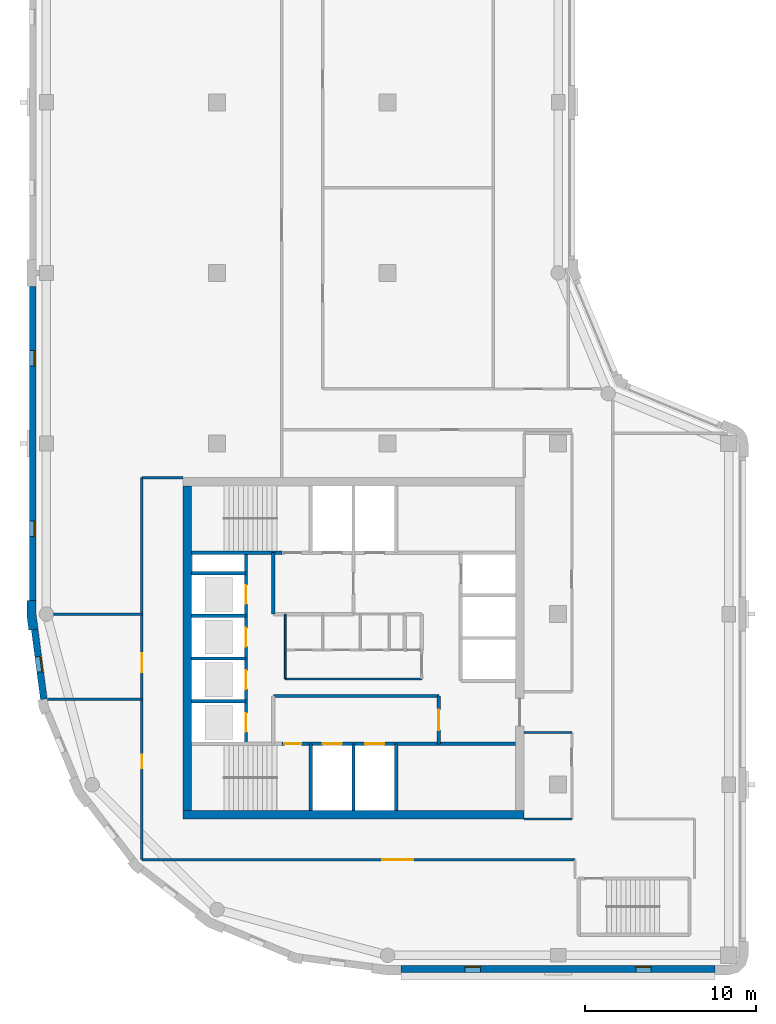
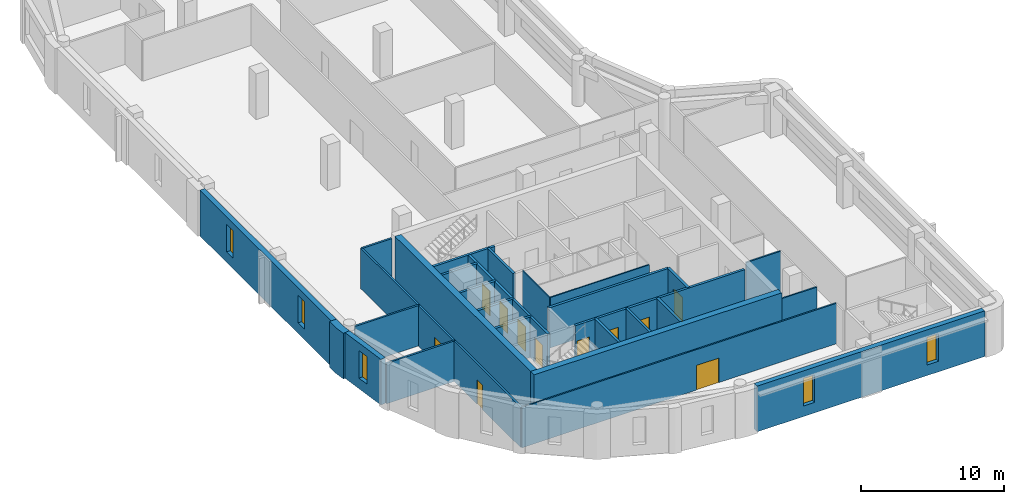
# One storey, part 2 of 8: 28 walls, 11 doors, 5 windows, 16 openings.
"""IFC4 building model written with IfcOpenShell, lengths in metres."""

from ifc_helpers import new_model, si_unit, direction, frame, frame_2d, origin, place, context, subcontext, project, spatial, polyline, rectangle, outline, extrude, material, layer, layer_set, type_object, element, fill, save


model = new_model("IFC4")

# Units and contexts
model_context = context("Model", 3, precision=1e-05, world=origin(), true_north=direction((0.0, 1.0)))
body_context = subcontext(model_context, "Body", "Model", "MODEL_VIEW")
ifc_project = project(units=[si_unit("LENGTHUNIT", "METRE"), si_unit("AREAUNIT", "SQUARE_METRE"), si_unit("VOLUMEUNIT", "CUBIC_METRE"), si_unit("PLANEANGLEUNIT", "RADIAN"), si_unit("MASSUNIT", "GRAM", prefix="KILO")], contexts=[model_context])

# Site, building, storey
site_placement = place(None, origin())
site = spatial("IfcSite", under=ifc_project, at=site_placement, CompositionType="ELEMENT")
building_placement = place(site_placement, origin())
building = spatial("IfcBuilding", under=site, at=building_placement, Name="Qaws Garden Tower", CompositionType="ELEMENT")
storey_placement = place(building_placement, frame((0.0, 0.0, 348.89990234375)))
storey = spatial("IfcBuildingStorey", under=building, at=storey_placement, Name="L85", CompositionType="ELEMENT", Elevation=348.89990234375)

# Wall, openings, windows
ifc_material_1 = material(Name="Buff clay facing brick masonry", Category="masonry")
ifc_layer_1 = layer(ifc_material_1, 0.39990234375)
ifc_layer_set_1 = layer_set([ifc_layer_1], Name="Buff clay facing brick masonry")
wall_type_1 = type_object("IfcWallType", Name="Buff brick infill wall 400", PredefinedType="SOLIDWALL", material=ifc_layer_set_1)
wall_1_placement = place(storey_placement, frame((20.800048828125, -0.800048828125, 0.0), z_axis=(0.0, 0.0, 1.0), x_axis=(1.0, 0.0, 0.0)))
wall_1 = element("IfcWall", 1, at=wall_1_placement, inside=storey, type_object=wall_type_1, Name="E-L85-infill-00", PredefinedType="SOLIDWALL", context=body_context, shape_type="SweptSolid", body=[
    extrude(rectangle(XDim=18.39990234375, YDim=0.39990234375, at=frame_2d((9.199951171875, 0.0))), origin(), (0.0, 0.0, 1.0), 3.900146484375),
])
opening_1_placement = place(wall_1_placement, frame((3.75, 0.0, 0.89990234375)))
opening_1 = element("IfcOpeningElement", 2, at=opening_1_placement, cuts=wall_1, Name="Opening W09", PredefinedType="OPENING", context=body_context, shape_type="SweptSolid", body=[
    extrude(rectangle(XDim=0.89990234375, YDim=2.35009765625, at=frame_2d((0.449951171875, 1.175048828125))), frame((0.0, 0.2099609375, 0.0), z_axis=(0.0, -1.0, 0.0), x_axis=(1.0, 0.0, 0.0)), (0.0, 0.0, 1.0), 0.419921875),
])
opening_2_placement = place(wall_1_placement, frame((13.75, 0.0, 0.89990234375)))
opening_2 = element("IfcOpeningElement", 3, at=opening_2_placement, cuts=wall_1, Name="Opening W09", PredefinedType="OPENING", context=body_context, shape_type="SweptSolid", body=[
    extrude(rectangle(XDim=0.89990234375, YDim=2.35009765625, at=frame_2d((0.449951171875, 1.175048828125))), frame((0.0, 0.2099609375, 0.0), z_axis=(0.0, -1.0, 0.0), x_axis=(1.0, 0.0, 0.0)), (0.0, 0.0, 1.0), 0.419921875),
])
ifc_material_2 = material(Name="Aluminium framed window, clear glazing", Category="aluminium")
window_type = type_object("IfcWindowType", Name="Slit window 900 x 2350", PartitioningType="SINGLE_PANEL", PredefinedType="WINDOW", material=ifc_material_2)
window_1_placement = place(opening_1_placement, origin())
window_1 = element("IfcWindow", 4, at=window_1_placement, inside=storey, type_object=window_type, Name="E-L85-window-00-0", OverallHeight=2.35009765625, OverallWidth=0.89990234375, PartitioningType="SINGLE_PANEL", PredefinedType="WINDOW", context=body_context, shape_type="SweptSolid", body=[
    extrude(rectangle(XDim=0.89990234375, YDim=2.35009765625, at=frame_2d((0.449951171875, 1.175048828125))), frame((0.0, 0.159912109375, 0.0), z_axis=(0.0, -1.0, 0.0), x_axis=(1.0, 0.0, 0.0)), (0.0, 0.0, 1.0), 0.06005859375),
])
fill(opening_1, window_1)
window_2_placement = place(opening_2_placement, origin())
window_2 = element("IfcWindow", 5, at=window_2_placement, inside=storey, type_object=window_type, Name="E-L85-window-01-0", OverallHeight=2.35009765625, OverallWidth=0.89990234375, PartitioningType="SINGLE_PANEL", PredefinedType="WINDOW", context=body_context, shape_type="SweptSolid", body=[
    extrude(rectangle(XDim=0.89990234375, YDim=2.35009765625, at=frame_2d((0.449951171875, 1.175048828125))), frame((0.0, 0.159912109375, 0.0), z_axis=(0.0, -1.0, 0.0), x_axis=(1.0, 0.0, 0.0)), (0.0, 0.0, 1.0), 0.06005859375),
])
fill(opening_2, window_2)

wall_2_placement = place(storey_placement, frame((-0.800048828125, 39.199951171875, 0.0), z_axis=(0.0, 0.0, 1.0), x_axis=(0.0, -1.0, 0.0)))
wall_2 = element("IfcWall", 6, at=wall_2_placement, inside=storey, type_object=wall_type_1, Name="E-L85-infill-19", PredefinedType="SOLIDWALL", context=body_context, shape_type="SweptSolid", body=[
    extrude(rectangle(XDim=18.39990234375, YDim=0.39990234375, at=frame_2d((9.199951171875, 0.0))), origin(), (0.0, 0.0, 1.0), 3.900146484375),
])
opening_3_placement = place(wall_2_placement, frame((3.75, 0.0, 0.89990234375)))
opening_3 = element("IfcOpeningElement", 7, at=opening_3_placement, cuts=wall_2, Name="Opening W09", PredefinedType="OPENING", context=body_context, shape_type="SweptSolid", body=[
    extrude(rectangle(XDim=0.89990234375, YDim=2.35009765625, at=frame_2d((0.449951171875, 1.175048828125))), frame((0.0, 0.2099609375, 0.0), z_axis=(0.0, -1.0, 0.0), x_axis=(1.0, 0.0, 0.0)), (0.0, 0.0, 1.0), 0.419921875),
])
opening_4_placement = place(wall_2_placement, frame((13.75, 0.0, 0.89990234375)))
opening_4 = element("IfcOpeningElement", 8, at=opening_4_placement, cuts=wall_2, Name="Opening W09", PredefinedType="OPENING", context=body_context, shape_type="SweptSolid", body=[
    extrude(rectangle(XDim=0.89990234375, YDim=2.35009765625, at=frame_2d((0.449951171875, 1.175048828125))), frame((0.0, 0.2099609375, 0.0), z_axis=(0.0, -1.0, 0.0), x_axis=(1.0, 0.0, 0.0)), (0.0, 0.0, 1.0), 0.419921875),
])
window_3_placement = place(opening_3_placement, origin())
window_3 = element("IfcWindow", 9, at=window_3_placement, inside=storey, type_object=window_type, Name="E-L85-window-19-0", OverallHeight=2.35009765625, OverallWidth=0.89990234375, PartitioningType="SINGLE_PANEL", PredefinedType="WINDOW", context=body_context, shape_type="SweptSolid", body=[
    extrude(rectangle(XDim=0.89990234375, YDim=2.35009765625, at=frame_2d((0.449951171875, 1.175048828125))), frame((0.0, 0.159912109375, 0.0), z_axis=(0.0, -1.0, 0.0), x_axis=(1.0, 0.0, 0.0)), (0.0, 0.0, 1.0), 0.06005859375),
])
fill(opening_3, window_3)
window_4_placement = place(opening_4_placement, origin())
window_4 = element("IfcWindow", 10, at=window_4_placement, inside=storey, type_object=window_type, Name="E-L85-window-20-0", OverallHeight=2.35009765625, OverallWidth=0.89990234375, PartitioningType="SINGLE_PANEL", PredefinedType="WINDOW", context=body_context, shape_type="SweptSolid", body=[
    extrude(rectangle(XDim=0.89990234375, YDim=2.35009765625, at=frame_2d((0.449951171875, 1.175048828125))), frame((0.0, 0.159912109375, 0.0), z_axis=(0.0, -1.0, 0.0), x_axis=(1.0, 0.0, 0.0)), (0.0, 0.0, 1.0), 0.06005859375),
])
fill(opening_4, window_4)

# Wall, opening, window
wall_3_placement = place(storey_placement, frame((-0.688720703125, 19.102294921875, 0.0), z_axis=(0.0, 0.0, 1.0), x_axis=(0.130514280502, -0.991446429508, 0.0)))
wall_3 = element("IfcWall", 11, at=wall_3_placement, inside=storey, type_object=wall_type_1, Name="E-L85-infill-21", PredefinedType="SOLIDWALL", context=body_context, shape_type="SweptSolid", body=[
    extrude(rectangle(XDim=4.120849609375, YDim=0.39990234375, at=frame_2d((2.060546875, 0.0))), origin(), (0.0, 0.0, 1.0), 3.900146484375),
])
opening_5_placement = place(wall_3_placement, frame((1.610595703125, 0.0, 0.89990234375)))
opening_5 = element("IfcOpeningElement", 12, at=opening_5_placement, cuts=wall_3, Name="Opening W09", PredefinedType="OPENING", context=body_context, shape_type="SweptSolid", body=[
    extrude(rectangle(XDim=0.89990234375, YDim=2.35009765625, at=frame_2d((0.449951171875, 1.175048828125))), frame((0.0, 0.2099609375, 0.0), z_axis=(0.0, -1.0, 0.0), x_axis=(1.0, 0.0, 0.0)), (0.0, 0.0, 1.0), 0.419921875),
])
window_5_placement = place(opening_5_placement, origin())
window_5 = element("IfcWindow", 13, at=window_5_placement, inside=storey, type_object=window_type, Name="E-L85-window-21-0", OverallHeight=2.35009765625, OverallWidth=0.89990234375, PartitioningType="SINGLE_PANEL", PredefinedType="WINDOW", context=body_context, shape_type="SweptSolid", body=[
    extrude(rectangle(XDim=0.89990234375, YDim=2.35009765625, at=frame_2d((0.449951171875, 1.175048828125))), frame((0.0, 0.159912109375, 0.0), z_axis=(0.0, -1.0, 0.0), x_axis=(1.0, 0.0, 0.0)), (0.0, 0.0, 1.0), 0.06005859375),
])
fill(opening_5, window_5)

# Walls
ifc_material_3 = material(Name="Buff clay facing brick masonry", Category="masonry")
ifc_layer_2 = layer(ifc_material_3, 0.550048828125)
ifc_layer_set_2 = layer_set([ifc_layer_2], Name="Buff clay facing brick masonry")
wall_type_2 = type_object("IfcWallType", Name="Buff brick pier 550 x 1600", PredefinedType="SOLIDWALL", material=ifc_layer_set_2)
wall_4_placement = place(storey_placement, origin())
element("IfcWall", 14, at=wall_4_placement, inside=storey, type_object=wall_type_2, Name="E-L85-pier-21", PredefinedType="SOLIDWALL", context=body_context, shape_type="SweptSolid", body=[
    extrude(outline(polyline([(-1.0, 20.800048828125), (-1.14990234375, 20.800048828125), (-1.14990234375, 19.924560546875), (-1.03564453125, 19.056640625), (-0.886962890625, 19.076416015625), (-0.490478515625, 19.12841796875), (-0.60009765625, 19.960693359375), (-0.60009765625, 20.800048828125), (-1.0, 20.800048828125)])), origin(), (0.0, 0.0, 1.0), 3.900146484375),
])
ifc_material_4 = material(Name="Plasterboard")
ifc_layer_3 = layer(ifc_material_4, 0.10009765625)
ifc_layer_set_3 = layer_set([ifc_layer_3], Name="Plasterboard")
wall_type_3 = type_object("IfcWallType", Name="Core partition 100", PredefinedType="PARTITIONING", material=ifc_layer_set_3)
wall_5_placement = place(storey_placement, frame((14.0, 16.199951171875, 0.0), z_axis=(0.0, 0.0, 1.0), x_axis=(1.0, 0.0, 0.0)))
element("IfcWall", 15, at=wall_5_placement, inside=storey, type_object=wall_type_3, Name="Core partition", PredefinedType="PARTITIONING", context=body_context, shape_type="SweptSolid", body=[
    extrude(rectangle(XDim=8.0, YDim=0.10009765625, at=frame_2d((4.0, 0.0))), origin(), (0.0, 0.0, 1.0), 3.4501953125),
])
wall_6_placement = place(storey_placement, frame((14.0, 16.199951171875, 0.0), z_axis=(0.0, 0.0, 1.0), x_axis=(0.0, 1.0, 0.0)))
element("IfcWall", 16, at=wall_6_placement, inside=storey, type_object=wall_type_3, Name="Core partition", PredefinedType="PARTITIONING", context=body_context, shape_type="SweptSolid", body=[
    extrude(rectangle(XDim=3.800048828125, YDim=0.10009765625, at=frame_2d((1.89990234375, 0.0))), origin(), (0.0, 0.0, 1.0), 3.4501953125),
])

# Wall, openings, doors
ifc_material_5 = material(Name="Concrete C60", Category="concrete")
ifc_layer_4 = layer(ifc_material_5, 0.199951171875)
ifc_layer_set_4 = layer_set([ifc_layer_4], Name="Concrete C60")
wall_type_4 = type_object("IfcWallType", Name="Core shaft wall 200 C60", PredefinedType="SHEAR", material=ifc_layer_set_4)
wall_7_placement = place(storey_placement, frame((13.800048828125, 12.39990234375, 0.0), z_axis=(0.0, 0.0, 1.0), x_axis=(1.0, 0.0, 0.0)))
wall_7 = element("IfcWall", 17, at=wall_7_placement, inside=storey, type_object=wall_type_4, Name="Shaft wall", PredefinedType="SHEAR", context=body_context, shape_type="SweptSolid", body=[
    extrude(rectangle(XDim=13.699951171875, YDim=0.199951171875, at=frame_2d((6.85009765625, 0.0))), origin(), (0.0, 0.0, 1.0), 3.4501953125),
])
opening_6_placement = place(wall_7_placement, frame((2.39990234375, 0.0, 0.0)))
opening_6 = element("IfcOpeningElement", 18, at=opening_6_placement, cuts=wall_7, Name="Opening LD06", PredefinedType="OPENING", context=body_context, shape_type="SweptSolid", body=[
    extrude(rectangle(XDim=1.10009765625, YDim=2.10009765625, at=frame_2d((0.550048828125, 1.050048828125))), frame((0.0, 0.10986328125, 0.0), z_axis=(0.0, -1.0, 0.0), x_axis=(1.0, 0.0, 0.0)), (0.0, 0.0, 1.0), 0.219970703125),
])
opening_7_placement = place(wall_7_placement, frame((4.89990234375, 0.0, 0.0)))
opening_7 = element("IfcOpeningElement", 19, at=opening_7_placement, cuts=wall_7, Name="Opening LD07", PredefinedType="OPENING", context=body_context, shape_type="SweptSolid", body=[
    extrude(rectangle(XDim=1.10009765625, YDim=2.10009765625, at=frame_2d((0.550048828125, 1.050048828125))), frame((0.0, 0.10986328125, 0.0), z_axis=(0.0, -1.0, 0.0), x_axis=(1.0, 0.0, 0.0)), (0.0, 0.0, 1.0), 0.219970703125),
])
opening_8_placement = place(wall_7_placement, frame((0.14990234375, 0.0, 0.0)))
opening_8 = element("IfcOpeningElement", 20, at=opening_8_placement, cuts=wall_7, Name="Opening SD10", PredefinedType="OPENING", context=body_context, shape_type="SweptSolid", body=[
    extrude(rectangle(XDim=1.0, YDim=2.10009765625, at=frame_2d((0.5, 1.050048828125))), frame((0.0, 0.10986328125, 0.0), z_axis=(0.0, -1.0, 0.0), x_axis=(1.0, 0.0, 0.0)), (0.0, 0.0, 1.0), 0.219970703125),
])
ifc_material_6 = material(Name="Steel S235", Category="steel")
door_type_1 = type_object("IfcDoorType", Name="Landing door 1100x2100", OperationType="DOUBLE_DOOR_SLIDING", PredefinedType="DOOR", material=ifc_material_6)
door_1_placement = place(opening_6_placement, origin())
door_1 = element("IfcDoor", 21, at=door_1_placement, inside=storey, type_object=door_type_1, Name="Lift FF1 landing door", OperationType="DOUBLE_DOOR_SLIDING", OverallHeight=2.10009765625, OverallWidth=1.10009765625, PredefinedType="DOOR", context=body_context, shape_type="SweptSolid", body=[
    extrude(rectangle(XDim=1.10009765625, YDim=2.10009765625, at=frame_2d((0.550048828125, 1.050048828125))), frame((0.0, 0.02490234375, 0.0), z_axis=(0.0, -1.0, 0.0), x_axis=(1.0, 0.0, 0.0)), (0.0, 0.0, 1.0), 0.050048828125),
])
fill(opening_6, door_1)
door_2_placement = place(opening_7_placement, origin())
door_2 = element("IfcDoor", 22, at=door_2_placement, inside=storey, type_object=door_type_1, Name="Lift FF2 landing door", OperationType="DOUBLE_DOOR_SLIDING", OverallHeight=2.10009765625, OverallWidth=1.10009765625, PredefinedType="DOOR", context=body_context, shape_type="SweptSolid", body=[
    extrude(rectangle(XDim=1.10009765625, YDim=2.10009765625, at=frame_2d((0.550048828125, 1.050048828125))), frame((0.0, 0.02490234375, 0.0), z_axis=(0.0, -1.0, 0.0), x_axis=(1.0, 0.0, 0.0)), (0.0, 0.0, 1.0), 0.050048828125),
])
fill(opening_7, door_2)
ifc_material_7 = material(Name="Steel S235", Category="steel")
door_type_2 = type_object("IfcDoorType", Name="Stair door 1000x2100", OperationType="SINGLE_SWING_RIGHT", PredefinedType="DOOR", material=ifc_material_7)
door_3_placement = place(opening_8_placement, frame((1.0, 0.0, 0.0), z_axis=(0.0, 0.0, 1.0), x_axis=(-1.0, 0.0, 0.0)))
door_3 = element("IfcDoor", 23, at=door_3_placement, inside=storey, type_object=door_type_2, Name="Stair 1 door", OperationType="SINGLE_SWING_LEFT", OverallHeight=2.10009765625, OverallWidth=1.0, PredefinedType="DOOR", context=body_context, shape_type="SweptSolid", body=[
    extrude(rectangle(XDim=1.0, YDim=2.10009765625, at=frame_2d((0.5, 1.050048828125))), frame((0.0, 0.02490234375, 0.0), z_axis=(0.0, -1.0, 0.0), x_axis=(1.0, 0.0, 0.0)), (0.0, 0.0, 1.0), 0.050048828125),
])
fill(opening_8, door_3)

# Walls
wall_8_placement = place(storey_placement, frame((8.5, 14.89990234375, 0.0), z_axis=(0.0, 0.0, 1.0), x_axis=(1.0, 0.0, 0.0)))
element("IfcWall", 24, at=wall_8_placement, inside=storey, type_object=wall_type_4, Name="Shaft wall", PredefinedType="SHEAR", context=body_context, shape_type="SweptSolid", body=[
    extrude(rectangle(XDim=3.199951171875, YDim=0.199951171875, at=frame_2d((1.60009765625, 0.0))), origin(), (0.0, 0.0, 1.0), 3.4501953125),
])
wall_9_placement = place(storey_placement, frame((13.300048828125, 15.199951171875, 0.0), z_axis=(0.0, 0.0, 1.0), x_axis=(1.0, 0.0, 0.0)))
element("IfcWall", 25, at=wall_9_placement, inside=storey, type_object=wall_type_4, Name="Shaft wall", PredefinedType="SHEAR", context=body_context, shape_type="SweptSolid", body=[
    extrude(rectangle(XDim=9.699951171875, YDim=0.199951171875, at=frame_2d((4.85009765625, 0.0))), origin(), (0.0, 0.0, 1.0), 3.4501953125),
])
for number, where, z_axis, x_axis, name in (
    (26, (8.5, 17.39990234375, 0.0), (0.0, 0.0, 1.0), (1.0, 0.0, 0.0), "Shaft wall"),
    (27, (8.5, 19.89990234375, 0.0), (0.0, 0.0, 1.0), (1.0, 0.0, 0.0), "Shaft wall"),
    (28, (8.5, 22.39990234375, 0.0), (0.0, 0.0, 1.0), (1.0, 0.0, 0.0), "Shaft wall"),
):
    element("IfcWall", number, at=place(storey_placement, frame(where, z_axis=z_axis, x_axis=x_axis)), inside=storey, type_object=wall_type_4, Name=name, PredefinedType="SHEAR", context=body_context, shape_type="SweptSolid", body=[
        extrude(rectangle(XDim=3.199951171875, YDim=0.199951171875, at=frame_2d((1.60009765625, 0.0))), origin(), (0.0, 0.0, 1.0), 3.4501953125),
    ])
wall_10_placement = place(storey_placement, frame((8.5, 23.60009765625, 0.0), z_axis=(0.0, 0.0, 1.0), x_axis=(1.0, 0.0, 0.0)))
element("IfcWall", 29, at=wall_10_placement, inside=storey, type_object=wall_type_4, Name="Shaft wall", PredefinedType="SHEAR", context=body_context, shape_type="SweptSolid", body=[
    extrude(rectangle(XDim=5.300048828125, YDim=0.199951171875, at=frame_2d((2.64990234375, 0.0))), origin(), (0.0, 0.0, 1.0), 3.4501953125),
])

# Wall, openings, doors
wall_11_placement = place(storey_placement, frame((11.699951171875, 12.39990234375, 0.0), z_axis=(0.0, 0.0, 1.0), x_axis=(0.0, 1.0, 0.0)))
wall_11 = element("IfcWall", 30, at=wall_11_placement, inside=storey, type_object=wall_type_4, Name="Shaft wall", PredefinedType="SHEAR", context=body_context, shape_type="SweptSolid", body=[
    extrude(rectangle(XDim=11.2001953125, YDim=0.199951171875, at=frame_2d((5.60009765625, 0.0))), origin(), (0.0, 0.0, 1.0), 3.4501953125),
])
opening_9_placement = place(wall_11_placement, frame((0.699951171875, 0.0, 0.0)))
opening_9 = element("IfcOpeningElement", 31, at=opening_9_placement, cuts=wall_11, Name="Opening LD01", PredefinedType="OPENING", context=body_context, shape_type="SweptSolid", body=[
    extrude(rectangle(XDim=1.10009765625, YDim=2.10009765625, at=frame_2d((0.550048828125, 1.050048828125))), frame((0.0, 0.10986328125, 0.0), z_axis=(0.0, -1.0, 0.0), x_axis=(1.0, 0.0, 0.0)), (0.0, 0.0, 1.0), 0.219970703125),
])
opening_10_placement = place(wall_11_placement, frame((3.199951171875, 0.0, 0.0)))
opening_10 = element("IfcOpeningElement", 32, at=opening_10_placement, cuts=wall_11, Name="Opening LD02", PredefinedType="OPENING", context=body_context, shape_type="SweptSolid", body=[
    extrude(rectangle(XDim=1.10009765625, YDim=2.10009765625, at=frame_2d((0.550048828125, 1.050048828125))), frame((0.0, 0.10986328125, 0.0), z_axis=(0.0, -1.0, 0.0), x_axis=(1.0, 0.0, 0.0)), (0.0, 0.0, 1.0), 0.219970703125),
])
opening_11_placement = place(wall_11_placement, frame((5.699951171875, 0.0, 0.0)))
opening_11 = element("IfcOpeningElement", 33, at=opening_11_placement, cuts=wall_11, Name="Opening LD03", PredefinedType="OPENING", context=body_context, shape_type="SweptSolid", body=[
    extrude(rectangle(XDim=1.10009765625, YDim=2.10009765625, at=frame_2d((0.550048828125, 1.050048828125))), frame((0.0, 0.10986328125, 0.0), z_axis=(0.0, -1.0, 0.0), x_axis=(1.0, 0.0, 0.0)), (0.0, 0.0, 1.0), 0.219970703125),
])
opening_12_placement = place(wall_11_placement, frame((8.199951171875, 0.0, 0.0)))
opening_12 = element("IfcOpeningElement", 34, at=opening_12_placement, cuts=wall_11, Name="Opening LD04", PredefinedType="OPENING", context=body_context, shape_type="SweptSolid", body=[
    extrude(rectangle(XDim=1.10009765625, YDim=2.10009765625, at=frame_2d((0.550048828125, 1.050048828125))), frame((0.0, 0.10986328125, 0.0), z_axis=(0.0, -1.0, 0.0), x_axis=(1.0, 0.0, 0.0)), (0.0, 0.0, 1.0), 0.219970703125),
])
door_4_placement = place(opening_9_placement, origin())
door_4 = element("IfcDoor", 35, at=door_4_placement, inside=storey, type_object=door_type_1, Name="Lift W1 landing door", OperationType="DOUBLE_DOOR_SLIDING", OverallHeight=2.10009765625, OverallWidth=1.10009765625, PredefinedType="DOOR", context=body_context, shape_type="SweptSolid", body=[
    extrude(rectangle(XDim=1.10009765625, YDim=2.10009765625, at=frame_2d((0.550048828125, 1.050048828125))), frame((0.0, 0.02490234375, 0.0), z_axis=(0.0, -1.0, 0.0), x_axis=(1.0, 0.0, 0.0)), (0.0, 0.0, 1.0), 0.050048828125),
])
fill(opening_9, door_4)
door_5_placement = place(opening_10_placement, origin())
door_5 = element("IfcDoor", 36, at=door_5_placement, inside=storey, type_object=door_type_1, Name="Lift W2 landing door", OperationType="DOUBLE_DOOR_SLIDING", OverallHeight=2.10009765625, OverallWidth=1.10009765625, PredefinedType="DOOR", context=body_context, shape_type="SweptSolid", body=[
    extrude(rectangle(XDim=1.10009765625, YDim=2.10009765625, at=frame_2d((0.550048828125, 1.050048828125))), frame((0.0, 0.02490234375, 0.0), z_axis=(0.0, -1.0, 0.0), x_axis=(1.0, 0.0, 0.0)), (0.0, 0.0, 1.0), 0.050048828125),
])
fill(opening_10, door_5)
door_6_placement = place(opening_11_placement, origin())
door_6 = element("IfcDoor", 37, at=door_6_placement, inside=storey, type_object=door_type_1, Name="Lift W3 landing door", OperationType="DOUBLE_DOOR_SLIDING", OverallHeight=2.10009765625, OverallWidth=1.10009765625, PredefinedType="DOOR", context=body_context, shape_type="SweptSolid", body=[
    extrude(rectangle(XDim=1.10009765625, YDim=2.10009765625, at=frame_2d((0.550048828125, 1.050048828125))), frame((0.0, 0.02490234375, 0.0), z_axis=(0.0, -1.0, 0.0), x_axis=(1.0, 0.0, 0.0)), (0.0, 0.0, 1.0), 0.050048828125),
])
fill(opening_11, door_6)
door_7_placement = place(opening_12_placement, origin())
door_7 = element("IfcDoor", 38, at=door_7_placement, inside=storey, type_object=door_type_1, Name="Lift W4 landing door", OperationType="DOUBLE_DOOR_SLIDING", OverallHeight=2.10009765625, OverallWidth=1.10009765625, PredefinedType="DOOR", context=body_context, shape_type="SweptSolid", body=[
    extrude(rectangle(XDim=1.10009765625, YDim=2.10009765625, at=frame_2d((0.550048828125, 1.050048828125))), frame((0.0, 0.02490234375, 0.0), z_axis=(0.0, -1.0, 0.0), x_axis=(1.0, 0.0, 0.0)), (0.0, 0.0, 1.0), 0.050048828125),
])
fill(opening_12, door_7)

# Walls
wall_12_placement = place(storey_placement, frame((13.300048828125, 20.0, 0.0), z_axis=(0.0, 0.0, 1.0), x_axis=(0.0, 1.0, 0.0)))
element("IfcWall", 39, at=wall_12_placement, inside=storey, type_object=wall_type_4, Name="Shaft wall", PredefinedType="SHEAR", context=body_context, shape_type="SweptSolid", body=[
    extrude(rectangle(XDim=3.60009765625, YDim=0.199951171875, at=frame_2d((1.800048828125, 0.0))), origin(), (0.0, 0.0, 1.0), 3.4501953125),
])
for number, where, z_axis, x_axis, name in (
    (40, (15.5, 8.5, 0.0), (0.0, 0.0, 1.0), (0.0, 1.0, 0.0), "Shaft wall"),
    (41, (18.0, 8.5, 0.0), (0.0, 0.0, 1.0), (0.0, 1.0, 0.0), "Shaft wall"),
    (42, (20.5, 8.5, 0.0), (0.0, 0.0, 1.0), (0.0, 1.0, 0.0), "Shaft wall"),
):
    element("IfcWall", number, at=place(storey_placement, frame(where, z_axis=z_axis, x_axis=x_axis)), inside=storey, type_object=wall_type_4, Name=name, PredefinedType="SHEAR", context=body_context, shape_type="SweptSolid", body=[
        extrude(rectangle(XDim=3.89990234375, YDim=0.199951171875, at=frame_2d((1.949951171875, 0.0))), origin(), (0.0, 0.0, 1.0), 3.4501953125),
    ])

# Wall, opening, door
wall_13_placement = place(storey_placement, frame((23.0, 12.39990234375, 0.0), z_axis=(0.0, 0.0, 1.0), x_axis=(0.0, 1.0, 0.0)))
wall_13 = element("IfcWall", 43, at=wall_13_placement, inside=storey, type_object=wall_type_4, Name="Shaft wall", PredefinedType="SHEAR", context=body_context, shape_type="SweptSolid", body=[
    extrude(rectangle(XDim=2.800048828125, YDim=0.199951171875, at=frame_2d((1.39990234375, 0.0))), origin(), (0.0, 0.0, 1.0), 3.4501953125),
])
opening_13_placement = place(wall_13_placement, frame((0.800048828125, 0.0, 0.0)))
opening_13 = element("IfcOpeningElement", 44, at=opening_13_placement, cuts=wall_13, Name="Opening FD15", PredefinedType="OPENING", context=body_context, shape_type="SweptSolid", body=[
    extrude(rectangle(XDim=1.199951171875, YDim=2.10009765625, at=frame_2d((0.60009765625, 1.050048828125))), frame((0.0, 0.10986328125, 0.0), z_axis=(0.0, -1.0, 0.0), x_axis=(1.0, 0.0, 0.0)), (0.0, 0.0, 1.0), 0.219970703125),
])
ifc_material_8 = material(Name="Steel S235", Category="steel")
door_type_3 = type_object("IfcDoorType", Name="Lobby door 1200x2100", OperationType="DOUBLE_DOOR_SINGLE_SWING", PredefinedType="DOOR", material=ifc_material_8)
door_8_placement = place(opening_13_placement, origin())
door_8 = element("IfcDoor", 45, at=door_8_placement, inside=storey, type_object=door_type_3, Name="Fire-fighting lobby door", OperationType="DOUBLE_DOOR_SINGLE_SWING", OverallHeight=2.10009765625, OverallWidth=1.199951171875, PredefinedType="DOOR", context=body_context, shape_type="SweptSolid", body=[
    extrude(rectangle(XDim=1.199951171875, YDim=2.10009765625, at=frame_2d((0.60009765625, 1.050048828125))), frame((0.0, 0.02490234375, 0.0), z_axis=(0.0, -1.0, 0.0), x_axis=(1.0, 0.0, 0.0)), (0.0, 0.0, 1.0), 0.050048828125),
])
fill(opening_13, door_8)

# Walls
ifc_material_9 = material(Name="Concrete C60", Category="concrete")
ifc_layer_5 = layer(ifc_material_9, 0.5)
ifc_layer_set_5 = layer_set([ifc_layer_5], Name="Concrete C60")
wall_type_5 = type_object("IfcWallType", Name="Core wall 500 C60", PredefinedType="SHEAR", material=ifc_layer_set_5)
wall_14_placement = place(storey_placement, frame((8.0, 8.25, 0.0), z_axis=(0.0, 0.0, 1.0), x_axis=(1.0, 0.0, 0.0)))
element("IfcWall", 46, at=wall_14_placement, inside=storey, type_object=wall_type_5, Name="Core wall L85 south", PredefinedType="SHEAR", context=body_context, shape_type="SweptSolid", body=[
    extrude(rectangle(XDim=20.0, YDim=0.5, at=frame_2d((10.0, 0.0))), origin(), (0.0, 0.0, 1.0), 3.900146484375),
])
wall_15_placement = place(storey_placement, frame((8.25, 27.5, 0.0), z_axis=(0.0, 0.0, 1.0), x_axis=(0.0, -1.0, 0.0)))
element("IfcWall", 47, at=wall_15_placement, inside=storey, type_object=wall_type_5, Name="Core wall L85 west", PredefinedType="SHEAR", context=body_context, shape_type="SweptSolid", body=[
    extrude(rectangle(XDim=19.0, YDim=0.5, at=frame_2d((9.5, 0.0))), origin(), (0.0, 0.0, 1.0), 3.900146484375),
])

# Wall, opening, door
ifc_material_10 = material(Name="Glass and aluminium framing", Category="aluminium")
ifc_layer_6 = layer(ifc_material_10, 0.1201171875)
ifc_layer_set_6 = layer_set([ifc_layer_6], Name="Glass and aluminium framing")
wall_type_6 = type_object("IfcWallType", Name="GLAZED PARTITION 120 EI 30", PredefinedType="PARTITIONING", material=ifc_layer_set_6)
wall_16_placement = place(storey_placement, frame((5.60009765625, 5.60009765625, 0.0), z_axis=(0.0, 0.0, 1.0), x_axis=(1.0, 0.0, 0.0)))
wall_16 = element("IfcWall", 48, at=wall_16_placement, inside=storey, type_object=wall_type_6, Name="O-L85-wall-034", PredefinedType="PARTITIONING", context=body_context, shape_type="SweptSolid", body=[
    extrude(rectangle(XDim=25.39990234375, YDim=0.1201171875, at=frame_2d((12.699951171875, 0.0))), origin(), (0.0, 0.0, 1.0), 3.4501953125),
])
opening_14_placement = place(wall_16_placement, frame((14.10009765625, 0.0, 0.0)))
opening_14 = element("IfcOpeningElement", 49, at=opening_14_placement, cuts=wall_16, Name="Opening C1006", PredefinedType="OPENING", context=body_context, shape_type="SweptSolid", body=[
    extrude(rectangle(XDim=1.800048828125, YDim=2.10009765625, at=frame_2d((0.89990234375, 1.050048828125))), frame((0.0, 0.070068359375, 0.0), z_axis=(0.0, -1.0, 0.0), x_axis=(1.0, 0.0, 0.0)), (0.0, 0.0, 1.0), 0.14013671875),
])
ifc_material_11 = material(Name="Timber door leaf", Category="wood")
door_type_4 = type_object("IfcDoorType", Name="DOUBLE DOOR 1800 X 2100", OperationType="DOUBLE_DOOR_SINGLE_SWING", PredefinedType="DOOR", material=ifc_material_11)
door_9_placement = place(opening_14_placement, frame((1.800048828125, 0.0, 0.0), z_axis=(0.0, 0.0, 1.0), x_axis=(-1.0, 0.0, 0.0)))
door_9 = element("IfcDoor", 50, at=door_9_placement, inside=storey, type_object=door_type_4, Name="O-L85-door-006", OperationType="DOUBLE_DOOR_SINGLE_SWING", OverallHeight=2.10009765625, OverallWidth=1.800048828125, PredefinedType="DOOR", context=body_context, shape_type="SweptSolid", body=[
    extrude(rectangle(XDim=1.800048828125, YDim=2.10009765625, at=frame_2d((0.89990234375, 1.050048828125))), frame((0.0, 0.02490234375, 0.0), z_axis=(0.0, -1.0, 0.0), x_axis=(1.0, 0.0, 0.0)), (0.0, 0.0, 1.0), 0.050048828125),
])
fill(opening_14, door_9)

# Walls
for number, where, z_axis, x_axis, name in (
    (51, (28.0, 8.0, 0.0), (0.0, 0.0, 1.0), (1.0, 0.0, 0.0), "O-L85-wall-035"),
    (52, (28.0, 13.050048828125, 0.0), (0.0, 0.0, 1.0), (1.0, 0.0, 0.0), "O-L85-wall-037"),
):
    element("IfcWall", number, at=place(storey_placement, frame(where, z_axis=z_axis, x_axis=x_axis)), inside=storey, type_object=wall_type_6, Name=name, PredefinedType="PARTITIONING", context=body_context, shape_type="SweptSolid", body=[
        extrude(rectangle(XDim=2.800048828125, YDim=0.1201171875, at=frame_2d((1.39990234375, 0.0))), origin(), (0.0, 0.0, 1.0), 3.4501953125),
    ])

# Wall, openings, doors
ifc_material_12 = material(Name="Gypsum board partition")
ifc_layer_7 = layer(ifc_material_12, 0.14990234375)
ifc_layer_set_7 = layer_set([ifc_layer_7], Name="Gypsum board partition")
wall_type_7 = type_object("IfcWallType", Name="PARTITION 150 EI 60", PredefinedType="PARTITIONING", material=ifc_layer_set_7)
wall_17_placement = place(storey_placement, frame((5.60009765625, 5.60009765625, 0.0), z_axis=(0.0, 0.0, 1.0), x_axis=(0.0, 1.0, 0.0)))
wall_17 = element("IfcWall", 53, at=wall_17_placement, inside=storey, type_object=wall_type_7, Name="O-L85-wall-004", PredefinedType="PARTITIONING", context=body_context, shape_type="SweptSolid", body=[
    extrude(rectangle(XDim=22.39990234375, YDim=0.14990234375, at=frame_2d((11.199951171875, 0.0))), origin(), (0.0, 0.0, 1.0), 3.4501953125),
])
opening_15_placement = place(wall_17_placement, frame((5.35009765625, 0.0, 0.0)))
opening_15 = element("IfcOpeningElement", 54, at=opening_15_placement, cuts=wall_17, Name="Opening C1001", PredefinedType="OPENING", context=body_context, shape_type="SweptSolid", body=[
    extrude(rectangle(XDim=0.800048828125, YDim=2.10009765625, at=frame_2d((0.39990234375, 1.050048828125))), frame((0.0, 0.0849609375, 0.0), z_axis=(0.0, -1.0, 0.0), x_axis=(1.0, 0.0, 0.0)), (0.0, 0.0, 1.0), 0.169921875),
])
opening_16_placement = place(wall_17_placement, frame((11.0, 0.0, 0.0)))
opening_16 = element("IfcOpeningElement", 55, at=opening_16_placement, cuts=wall_17, Name="Opening C1002", PredefinedType="OPENING", context=body_context, shape_type="SweptSolid", body=[
    extrude(rectangle(XDim=1.10009765625, YDim=2.10009765625, at=frame_2d((0.550048828125, 1.050048828125))), frame((0.0, 0.0849609375, 0.0), z_axis=(0.0, -1.0, 0.0), x_axis=(1.0, 0.0, 0.0)), (0.0, 0.0, 1.0), 0.169921875),
])
ifc_material_13 = material(Name="Timber door leaf", Category="wood")
door_type_5 = type_object("IfcDoorType", Name="SERVICE ROOM DOOR 1100 X 2100", OperationType="SINGLE_SWING_LEFT", PredefinedType="DOOR", material=ifc_material_13)
door_10_placement = place(opening_16_placement, origin())
door_10 = element("IfcDoor", 56, at=door_10_placement, inside=storey, type_object=door_type_5, Name="O-L85-door-002", OperationType="SINGLE_SWING_RIGHT", OverallHeight=2.10009765625, OverallWidth=1.10009765625, PredefinedType="DOOR", context=body_context, shape_type="SweptSolid", body=[
    extrude(rectangle(XDim=1.10009765625, YDim=2.10009765625, at=frame_2d((0.550048828125, 1.050048828125))), frame((0.0, 0.02490234375, 0.0), z_axis=(0.0, -1.0, 0.0), x_axis=(1.0, 0.0, 0.0)), (0.0, 0.0, 1.0), 0.050048828125),
])
fill(opening_16, door_10)
ifc_material_14 = material(Name="Timber door leaf", Category="wood")
door_type_6 = type_object("IfcDoorType", Name="STORE DOOR 800 X 2100", OperationType="SINGLE_SWING_LEFT", PredefinedType="DOOR", material=ifc_material_14)
door_11_placement = place(opening_15_placement, origin())
door_11 = element("IfcDoor", 57, at=door_11_placement, inside=storey, type_object=door_type_6, Name="O-L85-door-001", OperationType="SINGLE_SWING_RIGHT", OverallHeight=2.10009765625, OverallWidth=0.800048828125, PredefinedType="DOOR", context=body_context, shape_type="SweptSolid", body=[
    extrude(rectangle(XDim=0.800048828125, YDim=2.10009765625, at=frame_2d((0.39990234375, 1.050048828125))), frame((0.0, 0.02490234375, 0.0), z_axis=(0.0, -1.0, 0.0), x_axis=(1.0, 0.0, 0.0)), (0.0, 0.0, 1.0), 0.050048828125),
])
fill(opening_15, door_11)

# Walls
wall_18_placement = place(storey_placement, frame((0.06298828125, 15.0, 0.0), z_axis=(0.0, 0.0, 1.0), x_axis=(1.0, 0.0, 0.0)))
element("IfcWall", 58, at=wall_18_placement, inside=storey, type_object=wall_type_7, Name="O-L85-wall-013", PredefinedType="PARTITIONING", context=body_context, shape_type="SweptSolid", body=[
    extrude(rectangle(XDim=5.537109375, YDim=0.14990234375, at=frame_2d((2.7685546875, 0.0))), origin(), (0.0, 0.0, 1.0), 3.4501953125),
])
wall_19_placement = place(storey_placement, frame((0.425048828125, 20.0, 0.0), z_axis=(0.0, 0.0, 1.0), x_axis=(1.0, 0.0, 0.0)))
element("IfcWall", 59, at=wall_19_placement, inside=storey, type_object=wall_type_7, Name="O-L85-wall-014", PredefinedType="PARTITIONING", context=body_context, shape_type="SweptSolid", body=[
    extrude(rectangle(XDim=5.175048828125, YDim=0.14990234375, at=frame_2d((2.58740234375, 0.0))), origin(), (0.0, 0.0, 1.0), 3.4501953125),
])
wall_20_placement = place(storey_placement, frame((5.60009765625, 28.0, 0.0), z_axis=(0.0, 0.0, 1.0), x_axis=(1.0, 0.0, 0.0)))
element("IfcWall", 60, at=wall_20_placement, inside=storey, type_object=wall_type_7, Name="O-L85-wall-015", PredefinedType="PARTITIONING", context=body_context, shape_type="SweptSolid", body=[
    extrude(rectangle(XDim=2.39990234375, YDim=0.14990234375, at=frame_2d((1.199951171875, 0.0))), origin(), (0.0, 0.0, 1.0), 3.4501953125),
])

save(model, "model.ifc")
